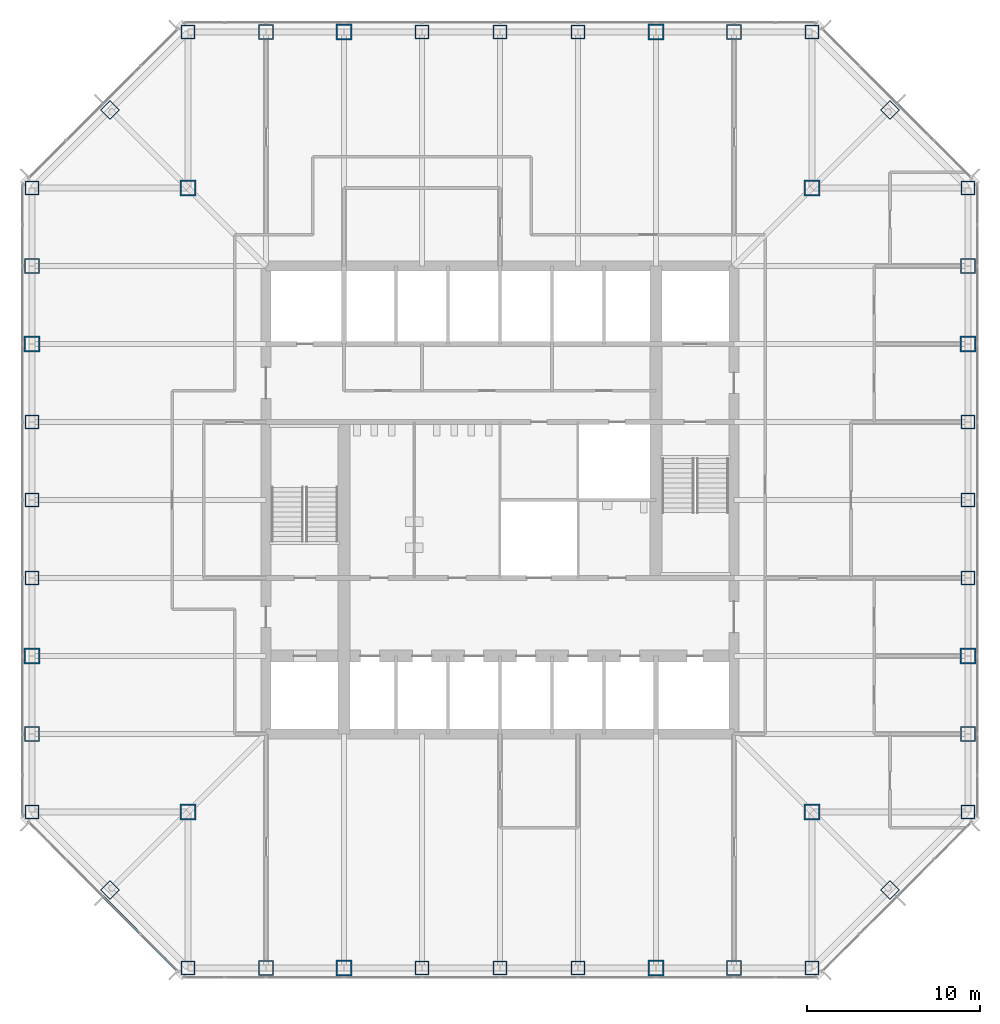
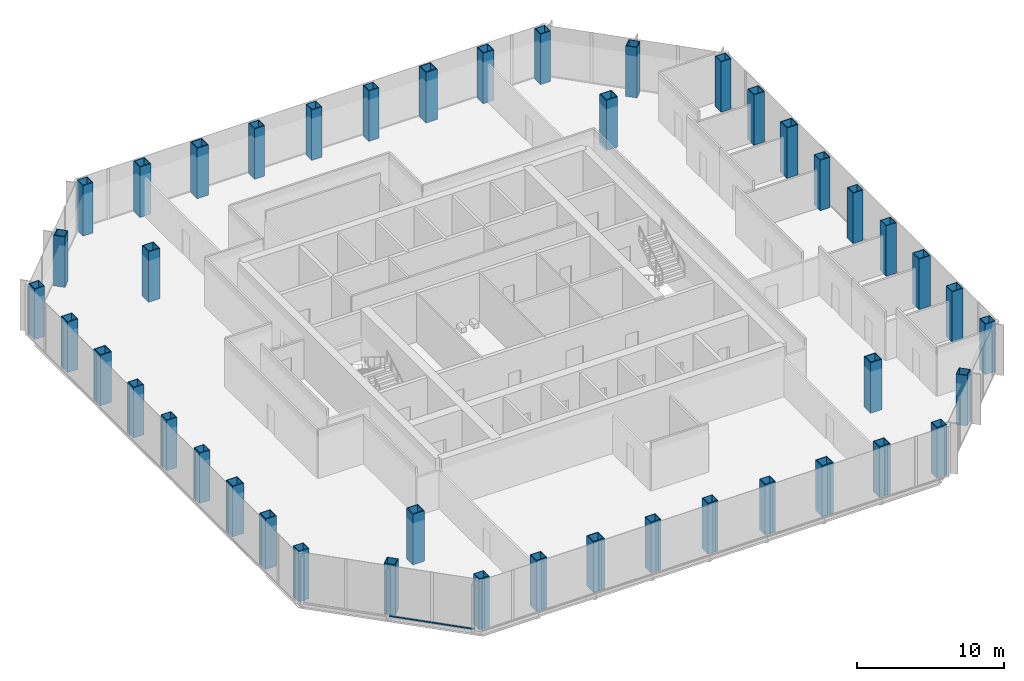
# One storey, part 1 of 12: 44 columns, 2 members, 1 element without a shape of its own.
"""IFC4 building model written with IfcOpenShell, lengths in metres."""

from ifc_helpers import new_model, si_unit, direction, frame, origin, origin_2d, place, context, subcontext, project, spatial, rectangle, hollow_rectangle, extrude, material, material_profile, profile_set, type_object, element, aggregate, save


model = new_model("IFC4")

# Units and contexts
model_context = context("Model", 3, precision=1e-05, world=origin(), true_north=direction((0.0, 1.0)))
body_context = subcontext(model_context, "Body", "Model", "MODEL_VIEW")
ifc_project = project(units=[si_unit("LENGTHUNIT", "METRE"), si_unit("AREAUNIT", "SQUARE_METRE"), si_unit("VOLUMEUNIT", "CUBIC_METRE"), si_unit("PLANEANGLEUNIT", "RADIAN"), si_unit("MASSUNIT", "GRAM", prefix="KILO")], contexts=[model_context])

# Site, building, storey
site_placement = place(None, origin())
site = spatial("IfcSite", under=ifc_project, at=site_placement, CompositionType="ELEMENT")
building_placement = place(site_placement, origin())
building = spatial("IfcBuilding", under=site, at=building_placement, Name="Corais Broadcast Tower", CompositionType="ELEMENT")
storey_placement = place(building_placement, frame((0.0, 0.0, 71.0)))
storey = spatial("IfcBuildingStorey", under=building, at=storey_placement, Name="L15", CompositionType="ELEMENT", Elevation=71.0)

# Columns
ifc_material_1 = material(Name="Steel ASTM A572 Grade 50", Category="steel")
ifc_material_profile_1 = material_profile(ifc_material_1, hollow_rectangle(XDim=0.800048828125, YDim=0.800048828125, WallThickness=0.044921875, at=origin_2d()), Name="BOX 800x800x45")
ifc_profile_set_1 = profile_set([ifc_material_profile_1], Name="Steel ASTM A572 Grade 50")
column_type_1 = type_object("IfcColumnType", Name="Column BOX 800x800x45", PredefinedType="COLUMN", material=ifc_profile_set_1)
for number, where, z_axis, x_axis, name in (
    (1, (9.0, 0.0, 0.0), (0.0, 0.0, 1.0), (1.0, 0.0, 0.0), "C3 A/5"),
    (2, (22.5, 0.0, 0.0), (0.0, 0.0, 1.0), (1.0, 0.0, 0.0), "C3 A/8"),
    (3, (27.0, 0.0, 0.0), (0.0, 0.0, 1.0), (1.0, 0.0, 0.0), "C3 A/9"),
    (4, (31.5, 0.0, 0.0), (0.0, 0.0, 1.0), (1.0, 0.0, 0.0), "C3 A/10"),
    (5, (45.0, 0.0, 0.0), (0.0, 0.0, 1.0), (1.0, 0.0, 0.0), "C3 A/13"),
    (6, (54.0, 9.0, 0.0), (0.0, 0.0, 1.0), (1.0, 0.0, 0.0), "C3 C/15"),
    (7, (54.0, 22.5, 0.0), (0.0, 0.0, 1.0), (1.0, 0.0, 0.0), "C3 F/15"),
    (8, (54.0, 27.0, 0.0), (0.0, 0.0, 1.0), (1.0, 0.0, 0.0), "C3 G/15"),
    (9, (54.0, 31.5, 0.0), (0.0, 0.0, 1.0), (1.0, 0.0, 0.0), "C3 H/15"),
    (10, (54.0, 45.0, 0.0), (0.0, 0.0, 1.0), (1.0, 0.0, 0.0), "C3 L/15"),
    (11, (45.0, 54.0, 0.0), (0.0, 0.0, 1.0), (1.0, 0.0, 0.0), "C3 N/13"),
    (12, (31.5, 54.0, 0.0), (0.0, 0.0, 1.0), (1.0, 0.0, 0.0), "C3 N/10"),
    (13, (27.0, 54.0, 0.0), (0.0, 0.0, 1.0), (1.0, 0.0, 0.0), "C3 N/9"),
    (14, (22.5, 54.0, 0.0), (0.0, 0.0, 1.0), (1.0, 0.0, 0.0), "C3 N/8"),
    (15, (9.0, 54.0, 0.0), (0.0, 0.0, 1.0), (1.0, 0.0, 0.0), "C3 N/5"),
    (16, (0.0, 45.0, 0.0), (0.0, 0.0, 1.0), (1.0, 0.0, 0.0), "C3 L/3"),
    (17, (0.0, 31.5, 0.0), (0.0, 0.0, 1.0), (1.0, 0.0, 0.0), "C3 H/3"),
    (18, (0.0, 27.0, 0.0), (0.0, 0.0, 1.0), (1.0, 0.0, 0.0), "C3 G/3"),
    (19, (0.0, 22.5, 0.0), (0.0, 0.0, 1.0), (1.0, 0.0, 0.0), "C3 F/3"),
    (20, (0.0, 9.0, 0.0), (0.0, 0.0, 1.0), (1.0, 0.0, 0.0), "C3 C/3"),
    (21, (4.5, 4.5, 0.0), (0.0, 0.0, 1.0), (0.707106781187, 0.707106781187, 0.0), "C3 B/4"),
    (22, (49.5, 4.5, 0.0), (0.0, 0.0, 1.0), (0.707106781187, 0.707106781187, 0.0), "C3 B/14"),
    (23, (49.5, 49.5, 0.0), (0.0, 0.0, 1.0), (0.707106781187, 0.707106781187, 0.0), "C3 M/14"),
    (24, (4.5, 49.5, 0.0), (0.0, 0.0, 1.0), (0.707106781187, 0.707106781187, 0.0), "C3 M/4"),
):
    element("IfcColumn", number, at=place(storey_placement, frame(where, z_axis=z_axis, x_axis=x_axis)), inside=storey, type_object=column_type_1, Name=name, PredefinedType="COLUMN", context=body_context, shape_type="SweptSolid", body=[
        extrude(hollow_rectangle(XDim=0.800048828125, YDim=0.800048828125, WallThickness=0.044921875, at=origin_2d()), origin(), (0.0, 0.0, 1.0), 4.199951171875),
    ])
ifc_material_2 = material(Name="Steel ASTM A572 Grade 50", Category="steel")
ifc_material_profile_2 = material_profile(ifc_material_2, hollow_rectangle(XDim=0.85009765625, YDim=0.85009765625, WallThickness=0.050048828125, at=origin_2d()), Name="BOX 850x850x50")
ifc_profile_set_2 = profile_set([ifc_material_profile_2], Name="Steel ASTM A572 Grade 50")
column_type_2 = type_object("IfcColumnType", Name="Column BOX 850x850x50", PredefinedType="COLUMN", material=ifc_profile_set_2)
for number, where, z_axis, x_axis, name in (
    (25, (13.5, 0.0, 0.0), (0.0, 0.0, 1.0), (1.0, 0.0, 0.0), "C1 A/6"),
    (26, (40.5, 0.0, 0.0), (0.0, 0.0, 1.0), (1.0, 0.0, 0.0), "C1 A/12"),
    (27, (54.0, 13.5, 0.0), (0.0, 0.0, 1.0), (1.0, 0.0, 0.0), "C1 D/15"),
    (28, (54.0, 40.5, 0.0), (0.0, 0.0, 1.0), (1.0, 0.0, 0.0), "C1 K/15"),
    (29, (40.5, 54.0, 0.0), (0.0, 0.0, 1.0), (1.0, 0.0, 0.0), "C1 N/12"),
    (30, (13.5, 54.0, 0.0), (0.0, 0.0, 1.0), (1.0, 0.0, 0.0), "C1 N/6"),
    (31, (0.0, 40.5, 0.0), (0.0, 0.0, 1.0), (1.0, 0.0, 0.0), "C1 K/3"),
    (32, (0.0, 13.5, 0.0), (0.0, 0.0, 1.0), (1.0, 0.0, 0.0), "C1 D/3"),
):
    element("IfcColumn", number, at=place(storey_placement, frame(where, z_axis=z_axis, x_axis=x_axis)), inside=storey, type_object=column_type_2, Name=name, PredefinedType="COLUMN", context=body_context, shape_type="SweptSolid", body=[
        extrude(hollow_rectangle(XDim=0.85009765625, YDim=0.85009765625, WallThickness=0.050048828125, at=origin_2d()), origin(), (0.0, 0.0, 1.0), 4.199951171875),
    ])
ifc_material_3 = material(Name="Steel ASTM A572 Grade 50", Category="steel")
ifc_material_profile_3 = material_profile(ifc_material_3, hollow_rectangle(XDim=0.89990234375, YDim=0.89990234375, WallThickness=0.06298828125, at=origin_2d()), Name="BOX 900x900x63")
ifc_profile_set_3 = profile_set([ifc_material_profile_3], Name="Steel ASTM A572 Grade 50")
column_type_3 = type_object("IfcColumnType", Name="Column BOX 900x900x63", PredefinedType="COLUMN", material=ifc_profile_set_3)
for number, where, z_axis, x_axis, name in (
    (33, (18.0, 0.0, 0.0), (0.0, 0.0, 1.0), (1.0, 0.0, 0.0), "C2 A/7"),
    (34, (36.0, 0.0, 0.0), (0.0, 0.0, 1.0), (1.0, 0.0, 0.0), "C2 A/11"),
    (35, (54.0, 18.0, 0.0), (0.0, 0.0, 1.0), (1.0, 0.0, 0.0), "C2 E/15"),
    (36, (54.0, 36.0, 0.0), (0.0, 0.0, 1.0), (1.0, 0.0, 0.0), "C2 J/15"),
    (37, (36.0, 54.0, 0.0), (0.0, 0.0, 1.0), (1.0, 0.0, 0.0), "C2 N/11"),
    (38, (18.0, 54.0, 0.0), (0.0, 0.0, 1.0), (1.0, 0.0, 0.0), "C2 N/7"),
    (39, (0.0, 36.0, 0.0), (0.0, 0.0, 1.0), (1.0, 0.0, 0.0), "C2 J/3"),
    (40, (0.0, 18.0, 0.0), (0.0, 0.0, 1.0), (1.0, 0.0, 0.0), "C2 E/3"),
    (41, (9.0, 9.0, 0.0), (0.0, 0.0, 1.0), (1.0, 0.0, 0.0), "C2 C/5"),
    (42, (45.0, 9.0, 0.0), (0.0, 0.0, 1.0), (1.0, 0.0, 0.0), "C2 C/13"),
    (43, (45.0, 45.0, 0.0), (0.0, 0.0, 1.0), (1.0, 0.0, 0.0), "C2 L/13"),
    (44, (9.0, 45.0, 0.0), (0.0, 0.0, 1.0), (1.0, 0.0, 0.0), "C2 L/5"),
):
    element("IfcColumn", number, at=place(storey_placement, frame(where, z_axis=z_axis, x_axis=x_axis)), inside=storey, type_object=column_type_3, Name=name, PredefinedType="COLUMN", context=body_context, shape_type="SweptSolid", body=[
        extrude(hollow_rectangle(XDim=0.89990234375, YDim=0.89990234375, WallThickness=0.06298828125, at=origin_2d()), origin(), (0.0, 0.0, 1.0), 4.199951171875),
    ])

# Curtain wall, members
ifc_material_4 = material(Name="Aluminium and glass", Category="aluminium")
curtain_wall_type = type_object("IfcCurtainWallType", Name="Unitised fritted curtain wall CW1", PredefinedType="NOTDEFINED", material=ifc_material_4)
curtain_wall_placement = place(storey_placement, origin())
curtain_wall = element("IfcCurtainWall", 45, at=curtain_wall_placement, inside=storey, type_object=curtain_wall_type, Name="CW1 curtain wall L15 1", PredefinedType="NOTDEFINED")
ifc_material_5 = material(Name="Aluminium 6063-T6", Category="aluminium")
ifc_material_profile_4 = material_profile(ifc_material_5, rectangle(XDim=0.139892578125, YDim=0.06494140625, at=origin_2d()), Name="Transom CW1 65x140")
ifc_profile_set_4 = profile_set([ifc_material_profile_4], Name="Aluminium 6063-T6")
member_type = type_object("IfcMemberType", Name="Transom CW1 65x140", PredefinedType="USERDEFINED", material=ifc_profile_set_4)
member_1_placement = place(storey_placement, frame((8.37255859375, -0.150390625, 0.032470703125), z_axis=(-0.707106781187, 0.707106781187, 0.0), x_axis=(-0.707106781187, -0.707106781187, 0.0)))
member_1 = element("IfcMember", 46, at=member_1_placement, type_object=member_type, Name="CW1 transom 1.1", ObjectType="TRANSOM", PredefinedType="USERDEFINED", context=body_context, shape_type="SweptSolid", body=[
    extrude(rectangle(XDim=0.139892578125, YDim=0.06494140625, at=origin_2d()), origin(), (0.0, 0.0, 1.0), 2.9482421875),
])
member_2_placement = place(storey_placement, frame((6.241943359375, 1.980224609375, 0.032470703125), z_axis=(-0.707106781187, 0.707106781187, 0.0), x_axis=(-0.707106781187, -0.707106781187, 0.0)))
member_2 = element("IfcMember", 47, at=member_2_placement, type_object=member_type, Name="CW1 transom 2.1", ObjectType="TRANSOM", PredefinedType="USERDEFINED", context=body_context, shape_type="SweptSolid", body=[
    extrude(rectangle(XDim=0.139892578125, YDim=0.06494140625, at=origin_2d()), origin(), (0.0, 0.0, 1.0), 2.98095703125),
])
aggregate(curtain_wall, [member_1, member_2])

save(model, "model.ifc")
